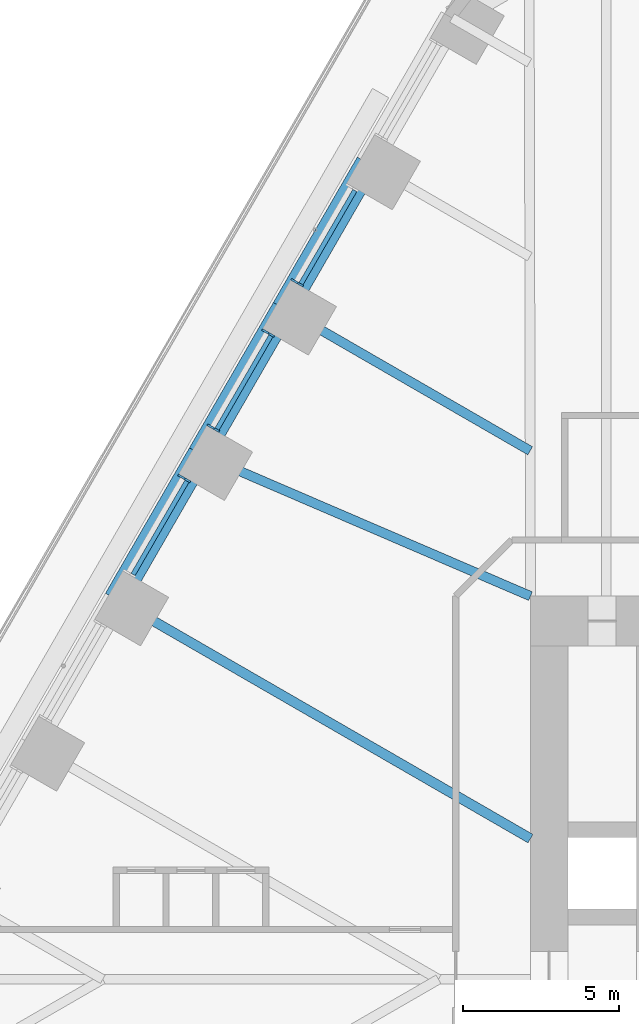
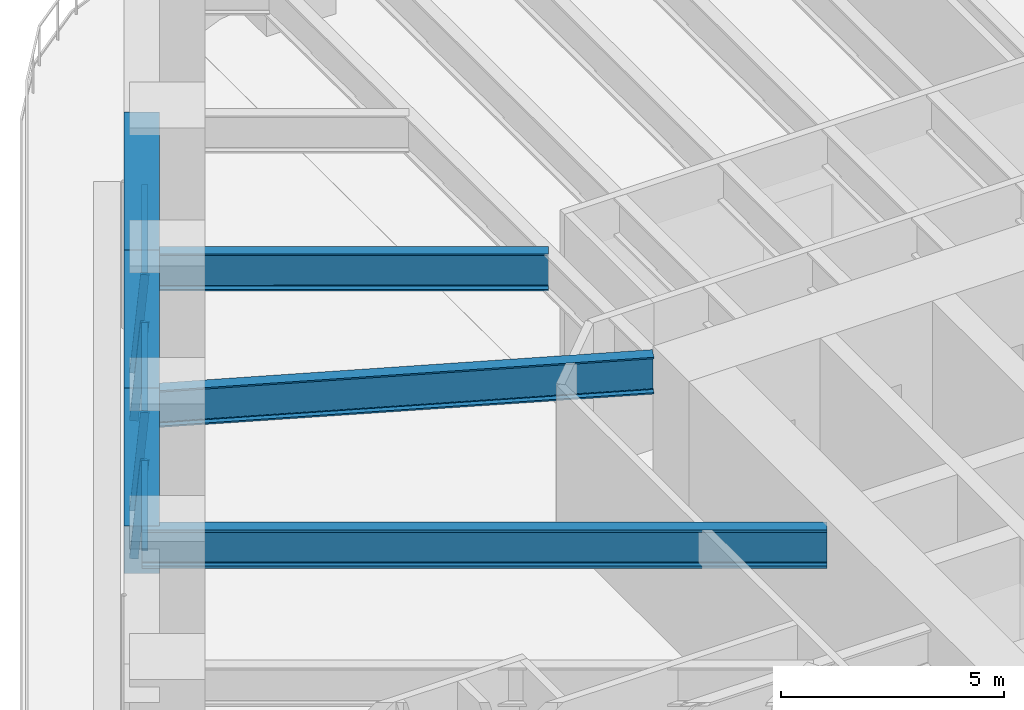
# One storey, part 8 of 23: 7 members, 6 beams, 3 elements without a shape of their own.
"""IFC4 building model written with IfcOpenShell, lengths in metres."""

from ifc_helpers import new_model, si_unit, direction, frame, origin, origin_2d, place, context, subcontext, project, spatial, rectangle, i_section, extrude, material, material_profile, profile_set, type_object, element, aggregate, save


model = new_model("IFC4")

# Units and contexts
model_context = context("Model", 3, precision=1e-05, world=origin(), true_north=direction((0.0, 1.0)))
body_context = subcontext(model_context, "Body", "Model", "MODEL_VIEW")
ifc_project = project(units=[si_unit("LENGTHUNIT", "METRE"), si_unit("AREAUNIT", "SQUARE_METRE"), si_unit("VOLUMEUNIT", "CUBIC_METRE"), si_unit("PLANEANGLEUNIT", "RADIAN"), si_unit("MASSUNIT", "GRAM", prefix="KILO")], contexts=[model_context])

# Site, building, storey
site_placement = place(None, origin())
site = spatial("IfcSite", under=ifc_project, at=site_placement, CompositionType="ELEMENT")
building_placement = place(site_placement, origin())
building = spatial("IfcBuilding", under=site, at=building_placement, Name="Tarfa Lantern Tower", CompositionType="ELEMENT")
storey_placement = place(building_placement, frame((0.0, 0.0, 86.5)))
storey = spatial("IfcBuildingStorey", under=building, at=storey_placement, Name="L19", CompositionType="ELEMENT", Elevation=86.5)

# Curtain wall, member
ifc_material_1 = material(Name="Aluminium framed curtain wall", Category="aluminium")
curtain_wall_type = type_object("IfcCurtainWallType", Name="CW1 CANTED GLAZING LOW ZONE 2700", PredefinedType="USERDEFINED", material=ifc_material_1)
curtain_wall_1_placement = place(storey_placement, origin())
curtain_wall_1 = element("IfcCurtainWall", 1, at=curtain_wall_1_placement, inside=storey, type_object=curtain_wall_type, Name="CW1 NW L19", ObjectType="CURTAIN WALL", PredefinedType="USERDEFINED")
ifc_material_2 = material(Name="Aluminium mullion", Category="aluminium")
ifc_material_profile_1 = material_profile(ifc_material_2, rectangle(XDim=0.06494140625, YDim=0.199951171875, at=origin_2d()), Name="AL MULLION 65x200")
ifc_profile_set_1 = profile_set([ifc_material_profile_1], Name="Aluminium mullion")
member_type_1 = type_object("IfcMemberType", Name="CWM1 MULLION 65x200", PredefinedType="MULLION", material=ifc_profile_set_1)
member_1_placement = place(storey_placement, frame((-26.19775390625, 22.42431640625, 0.0), z_axis=(0.07986442134, -0.046099868913, 0.99573916077), x_axis=(0.499919672301, 0.866071776036, 0.0)))
member_1 = element("IfcMember", 2, at=member_1_placement, type_object=member_type_1, Name="CW1 mullion 2", PredefinedType="MULLION", context=body_context, shape_type="SweptSolid", body=[
    extrude(rectangle(XDim=0.06494140625, YDim=0.199951171875, at=origin_2d()), origin(), (0.0, 0.0, 1.0), 2.71142578125),
])

# Curtain wall, members
curtain_wall_2_placement = place(storey_placement, origin())
curtain_wall_2 = element("IfcCurtainWall", 3, at=curtain_wall_2_placement, inside=storey, type_object=curtain_wall_type, Name="CW1 NW L19", ObjectType="CURTAIN WALL", PredefinedType="USERDEFINED")
member_2_placement = place(storey_placement, frame((-27.130126953125, 20.80908203125, 0.0), z_axis=(0.079774955866, -0.04610020023, 0.995746317068), x_axis=(0.500342721131, 0.865827443207, 0.0)))
member_2 = element("IfcMember", 4, at=member_2_placement, type_object=member_type_1, Name="CW1 mullion 1", PredefinedType="MULLION", context=body_context, shape_type="SweptSolid", body=[
    extrude(rectangle(XDim=0.06494140625, YDim=0.199951171875, at=origin_2d()), origin(), (0.0, 0.0, 1.0), 2.71142578125),
])
member_3_placement = place(storey_placement, frame((-28.89208984375, 17.757568359375, 0.0), z_axis=(0.07986442134, -0.046099868913, 0.99573916077), x_axis=(0.499919672301, 0.866071776036, 0.0)))
member_3 = element("IfcMember", 5, at=member_3_placement, type_object=member_type_1, Name="CW1 mullion 2", PredefinedType="MULLION", context=body_context, shape_type="SweptSolid", body=[
    extrude(rectangle(XDim=0.06494140625, YDim=0.199951171875, at=origin_2d()), origin(), (0.0, 0.0, 1.0), 2.71142578125),
])

# Curtain wall, member
curtain_wall_3_placement = place(storey_placement, origin())
curtain_wall_3 = element("IfcCurtainWall", 6, at=curtain_wall_3_placement, inside=storey, type_object=curtain_wall_type, Name="CW1 NW L19", ObjectType="CURTAIN WALL", PredefinedType="USERDEFINED")
member_4_placement = place(storey_placement, frame((-29.824462890625, 16.142333984375, 0.0), z_axis=(0.07986442134, -0.046099868913, 0.99573916077), x_axis=(0.499919672301, 0.866071776036, 0.0)))
member_4 = element("IfcMember", 7, at=member_4_placement, type_object=member_type_1, Name="CW1 mullion 1", PredefinedType="MULLION", context=body_context, shape_type="SweptSolid", body=[
    extrude(rectangle(XDim=0.06494140625, YDim=0.199951171875, at=origin_2d()), origin(), (0.0, 0.0, 1.0), 2.71142578125),
])

# Member
ifc_material_3 = material(Name="Aluminium transom", Category="aluminium")
ifc_material_profile_2 = material_profile(ifc_material_3, rectangle(XDim=0.14990234375, YDim=0.06494140625, at=origin_2d()), Name="AL TRANSOM 150x65")
ifc_profile_set_2 = profile_set([ifc_material_profile_2], Name="Aluminium transom")
member_type_2 = type_object("IfcMemberType", Name="CWT1 TRANSOM 150x65", PredefinedType="USERDEFINED", material=ifc_profile_set_2)
member_5_placement = place(storey_placement, frame((-24.23828125, 25.32421875, 2.66748046875), z_axis=(-0.49997297598, -0.866041005548, 0.0), x_axis=(0.866041005548, -0.49997297598, 0.0)))
member_5 = element("IfcMember", 8, at=member_5_placement, type_object=member_type_2, Name="CW1 transom 1.2", ObjectType="TRANSOM", PredefinedType="USERDEFINED", context=body_context, shape_type="SweptSolid", body=[
    extrude(rectangle(XDim=0.14990234375, YDim=0.06494140625, at=origin_2d()), origin(), (0.0, 0.0, 1.0), 3.458740234375),
])

aggregate(curtain_wall_1, [member_1, member_5])

member_6_placement = place(storey_placement, frame((-26.9326171875, 20.657470703125, 2.66748046875), z_axis=(-0.49997297598, -0.866041005548, 0.0), x_axis=(0.866041005548, -0.49997297598, 0.0)))
member_6 = element("IfcMember", 9, at=member_6_placement, type_object=member_type_2, Name="CW1 transom 1.2", ObjectType="TRANSOM", PredefinedType="USERDEFINED", context=body_context, shape_type="SweptSolid", body=[
    extrude(rectangle(XDim=0.14990234375, YDim=0.06494140625, at=origin_2d()), origin(), (0.0, 0.0, 1.0), 3.458740234375),
])

aggregate(curtain_wall_2, [member_2, member_3, member_6])

member_7_placement = place(storey_placement, frame((-29.626953125, 15.99072265625, 2.66748046875), z_axis=(-0.500003541824, -0.866023358902, 0.0), x_axis=(0.866023358902, -0.500003541824, 0.0)))
member_7 = element("IfcMember", 10, at=member_7_placement, type_object=member_type_2, Name="CW1 transom 1.2", ObjectType="TRANSOM", PredefinedType="USERDEFINED", context=body_context, shape_type="SweptSolid", body=[
    extrude(rectangle(XDim=0.14990234375, YDim=0.06494140625, at=origin_2d()), origin(), (0.0, 0.0, 1.0), 3.45849609375),
])

aggregate(curtain_wall_3, [member_4, member_7])

# Beams
ifc_material_4 = material(Name="Concrete C80/95", Category="concrete")
ifc_material_profile_3 = material_profile(ifc_material_4, rectangle(XDim=0.800048828125, YDim=1.300048828125, at=origin_2d()), Name="RC 800x1300")
ifc_profile_set_3 = profile_set([ifc_material_profile_3], Name="Concrete C80/95")
beam_type_1 = type_object("IfcBeamType", Name="EB1 RC 800x1300", PredefinedType="SPANDREL", material=ifc_profile_set_3)
beam_1_placement = place(storey_placement, frame((-23.813720703125, 26.193359375, 3.35009765625), z_axis=(-0.499998287579, -0.866026392449, 0.0), x_axis=(0.866026392449, -0.499998287579, 0.0)))
element("IfcBeam", 11, at=beam_1_placement, inside=storey, type_object=beam_type_1, Name="Edge beam NW1", PredefinedType="SPANDREL", context=body_context, shape_type="SweptSolid", body=[
    extrude(rectangle(XDim=0.800048828125, YDim=1.300048828125, at=origin_2d()), origin(), (0.0, 0.0, 1.0), 5.388671875),
])
beam_2_placement = place(storey_placement, frame((-26.508056640625, 21.526611328125, 3.35009765625), z_axis=(-0.500017906299, -0.866015065331, 0.0), x_axis=(0.866015065331, -0.500017906299, 0.0)))
element("IfcBeam", 12, at=beam_2_placement, inside=storey, type_object=beam_type_1, Name="Edge beam NW2", PredefinedType="SPANDREL", context=body_context, shape_type="SweptSolid", body=[
    extrude(rectangle(XDim=0.800048828125, YDim=1.300048828125, at=origin_2d()), origin(), (0.0, 0.0, 1.0), 5.388427734375),
])
beam_3_placement = place(storey_placement, frame((-29.202392578125, 16.860107421875, 3.35009765625), z_axis=(-0.499998287579, -0.866026392449, 0.0), x_axis=(0.866026392449, -0.499998287579, 0.0)))
element("IfcBeam", 13, at=beam_3_placement, inside=storey, type_object=beam_type_1, Name="Edge beam NW3", PredefinedType="SPANDREL", context=body_context, shape_type="SweptSolid", body=[
    extrude(rectangle(XDim=0.800048828125, YDim=1.300048828125, at=origin_2d()), origin(), (0.0, 0.0, 1.0), 5.388671875),
])
ifc_material_5 = material(Name="Steel S460M", Category="steel")
ifc_material_profile_4 = material_profile(ifc_material_5, i_section(OverallWidth=0.302001953125, OverallDepth=1.008056640625, WebThickness=0.02099609375, FlangeThickness=0.0400390625, FilletRadius=0.030029296875, at=origin_2d()), Name="UB1016x305x349")
ifc_profile_set_4 = profile_set([ifc_material_profile_4], Name="Steel S460M")
beam_type_2 = type_object("IfcBeamType", Name="UB1016x305x349", PredefinedType="BEAM", material=ifc_profile_set_4)
beam_4_placement = place(storey_placement, frame((-26.508056640625, 21.526611328125, 3.495849609375), z_axis=(0.866035355799, -0.49998276221, 0.0), x_axis=(0.49998276221, 0.866035355799, 0.0)))
element("IfcBeam", 14, at=beam_4_placement, inside=storey, type_object=beam_type_2, Name="Floor beam NW2", PredefinedType="BEAM", context=body_context, shape_type="SweptSolid", body=[
    extrude(i_section(OverallWidth=0.302001953125, OverallDepth=1.008056640625, WebThickness=0.02099609375, FlangeThickness=0.0400390625, FilletRadius=0.030029296875, at=origin_2d()), origin(), (0.0, 0.0, 1.0), 9.119873046875),
])
beam_5_placement = place(storey_placement, frame((-29.202392578125, 16.860107421875, 3.495849609375), z_axis=(0.918635483867, -0.395106122175, 0.0), x_axis=(0.395106122175, 0.918635483867, 0.0)))
element("IfcBeam", 15, at=beam_5_placement, inside=storey, type_object=beam_type_2, Name="Floor beam NW3", PredefinedType="BEAM", context=body_context, shape_type="SweptSolid", body=[
    extrude(i_section(OverallWidth=0.302001953125, OverallDepth=1.008056640625, WebThickness=0.02099609375, FlangeThickness=0.0400390625, FilletRadius=0.030029296875, at=origin_2d()), origin(), (0.0, 0.0, 1.0), 11.541259765625),
])
ifc_material_profile_5 = material_profile(ifc_material_5, i_section(OverallWidth=0.314208984375, OverallDepth=1.055908203125, WebThickness=0.035888671875, FlangeThickness=0.06396484375, FilletRadius=0.030029296875, at=origin_2d()), Name="UB1016x305x584")
ifc_profile_set_5 = profile_set([ifc_material_profile_5], Name="Steel S460M")
beam_type_3 = type_object("IfcBeamType", Name="UB1016x305x584", PredefinedType="BEAM", material=ifc_profile_set_5)
beam_6_placement = place(storey_placement, frame((-31.896728515625, 12.193359375, 3.471923828125), z_axis=(0.866026971665, -0.499997284341, 0.0), x_axis=(0.499997284341, 0.866026971665, 0.0)))
element("IfcBeam", 16, at=beam_6_placement, inside=storey, type_object=beam_type_3, Name="Floor beam NW4", PredefinedType="BEAM", context=body_context, shape_type="SweptSolid", body=[
    extrude(i_section(OverallWidth=0.314208984375, OverallDepth=1.055908203125, WebThickness=0.035888671875, FlangeThickness=0.06396484375, FilletRadius=0.030029296875, at=origin_2d()), origin(), (0.0, 0.0, 1.0), 15.353515625),
])

save(model, "model.ifc")
